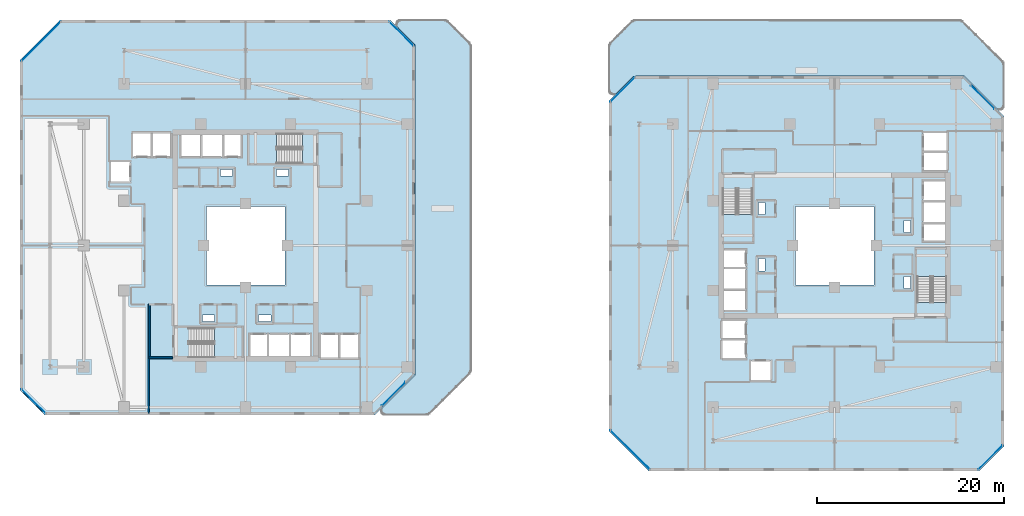
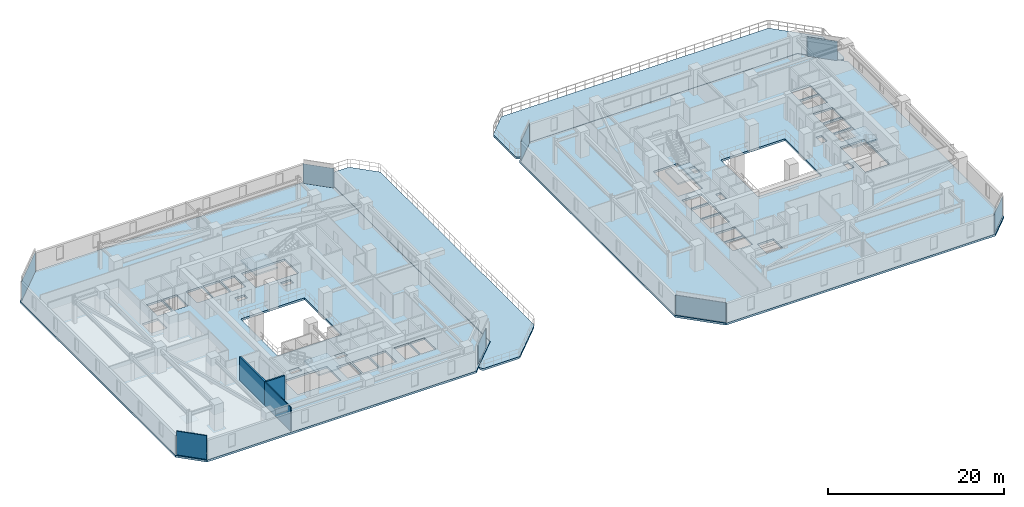
# One storey, part 19 of 33: 8 plates, 8 slabs, 4 walls, 12 elements without a shape of their own.
"""IFC4 building model written with IfcOpenShell, lengths in metres."""

from ifc_helpers import new_model, si_unit, direction, frame, frame_2d, origin, origin_2d, place, context, subcontext, project, spatial, polyline, rectangle, outline, extrude, material, layer, layer_set, type_object, element, aggregate, save


model = new_model("IFC4")

# Units and contexts
model_context = context("Model", 3, precision=1e-05, world=origin(), true_north=direction((0.0, 1.0)))
body_context = subcontext(model_context, "Body", "Model", "MODEL_VIEW")
ifc_project = project(units=[si_unit("LENGTHUNIT", "METRE"), si_unit("AREAUNIT", "SQUARE_METRE"), si_unit("VOLUMEUNIT", "CUBIC_METRE"), si_unit("PLANEANGLEUNIT", "RADIAN"), si_unit("MASSUNIT", "GRAM", prefix="KILO")], contexts=[model_context])

# Site, building, storey
site_placement = place(None, origin())
site = spatial("IfcSite", under=ifc_project, at=site_placement, CompositionType="ELEMENT")
building_placement = place(site_placement, origin())
building = spatial("IfcBuilding", under=site, at=building_placement, Name="Thornwick Lancets Civic Towers", CompositionType="ELEMENT")
storey_placement = place(building_placement, frame((0.0, 0.0, 98.10009765625)))
storey = spatial("IfcBuildingStorey", under=building, at=storey_placement, Name="L25", CompositionType="ELEMENT", Elevation=98.10009765625)

# Curtain wall, plate
ifc_material_1 = material(Name="Low-zone chamfered-corner unitised glass curtain wall", Category="glass")
curtain_wall_type = type_object("IfcCurtainWallType", Name="CW_SYS_03", PredefinedType="NOTDEFINED", material=ifc_material_1)
curtain_wall_1_placement = place(storey_placement, origin())
curtain_wall_1 = element("IfcCurtainWall", 1, at=curtain_wall_1_placement, inside=storey, type_object=curtain_wall_type, Name="L25 Curtain Wall CW-L25-A-E1", PredefinedType="NOTDEFINED")
ifc_material_2 = material(Name="Low-e double glazing clear glass", Category="glass")
ifc_layer_1 = layer(ifc_material_2, 0.035888671875, Name="Low-e double glazing clear glass")
ifc_layer_set_1 = layer_set([ifc_layer_1], Name="Low-e double glazing clear glass")
plate_type = type_object("IfcPlateType", Name="CW_PNL_GLASS", PredefinedType="CURTAIN_PANEL", material=ifc_layer_set_1)
plate_1_placement = place(storey_placement, frame((41.35546875, 11.14453125, 0.0), z_axis=(0.0, 0.0, 1.0), x_axis=(0.707106781187, 0.707106781187, 0.0)))
plate_1 = element("IfcPlate", 2, at=plate_1_placement, type_object=plate_type, Name="CW-L25-A-E1 Panel 0", PredefinedType="CURTAIN_PANEL", context=body_context, shape_type="SweptSolid", body=[
    extrude(rectangle(XDim=3.5771484375, YDim=0.035888671875, at=origin_2d()), origin(), (0.0, 0.0, 1.0), 2.699951171875),
])
aggregate(curtain_wall_1, [plate_1])

curtain_wall_2_placement = place(storey_placement, origin())
curtain_wall_2 = element("IfcCurtainWall", 3, at=curtain_wall_2_placement, inside=storey, type_object=curtain_wall_type, Name="L25 Curtain Wall CW-L25-A-E3", PredefinedType="NOTDEFINED")
plate_2_placement = place(storey_placement, frame((42.173095703125, 49.673095703125, 0.0), z_axis=(0.0, 0.0, 1.0), x_axis=(-0.707106781187, 0.707106781187, 0.0)))
plate_2 = element("IfcPlate", 4, at=plate_2_placement, type_object=plate_type, Name="CW-L25-A-E3 Panel 0", PredefinedType="CURTAIN_PANEL", context=body_context, shape_type="SweptSolid", body=[
    extrude(rectangle(XDim=3.6494140625, YDim=0.035888671875, at=origin_2d()), origin(), (0.0, 0.0, 1.0), 2.699951171875),
])
aggregate(curtain_wall_2, [plate_2])

curtain_wall_3_placement = place(storey_placement, origin())
curtain_wall_3 = element("IfcCurtainWall", 5, at=curtain_wall_3_placement, inside=storey, type_object=curtain_wall_type, Name="L25 Curtain Wall CW-L25-A-E5", PredefinedType="NOTDEFINED")
plate_3_placement = place(storey_placement, frame((3.64453125, 48.85546875, 0.0), z_axis=(0.0, 0.0, 1.0), x_axis=(-0.707106781187, -0.707106781187, 0.0)))
plate_3 = element("IfcPlate", 6, at=plate_3_placement, type_object=plate_type, Name="CW-L25-A-E5 Panel 0", PredefinedType="CURTAIN_PANEL", context=body_context, shape_type="SweptSolid", body=[
    extrude(rectangle(XDim=5.94677734375, YDim=0.035888671875, at=origin_2d()), origin(), (0.0, 0.0, 1.0), 2.699951171875),
])
aggregate(curtain_wall_3, [plate_3])

curtain_wall_4_placement = place(storey_placement, origin())
curtain_wall_4 = element("IfcCurtainWall", 7, at=curtain_wall_4_placement, inside=storey, type_object=curtain_wall_type, Name="L25 Curtain Wall CW-L25-A-E7", PredefinedType="NOTDEFINED")
plate_4_placement = place(storey_placement, frame((2.826904296875, 10.326904296875, 0.0), z_axis=(0.0, 0.0, 1.0), x_axis=(0.707106781187, -0.707106781187, 0.0)))
plate_4 = element("IfcPlate", 8, at=plate_4_placement, type_object=plate_type, Name="CW-L25-A-E7 Panel 0", PredefinedType="CURTAIN_PANEL", context=body_context, shape_type="SweptSolid", body=[
    extrude(rectangle(XDim=3.6494140625, YDim=0.035888671875, at=origin_2d()), origin(), (0.0, 0.0, 1.0), 2.699951171875),
])
aggregate(curtain_wall_4, [plate_4])

curtain_wall_5_placement = place(storey_placement, origin())
curtain_wall_5 = element("IfcCurtainWall", 9, at=curtain_wall_5_placement, inside=storey, type_object=curtain_wall_type, Name="L25 Curtain Wall CW-L25-B-E1", PredefinedType="NOTDEFINED")
plate_5_placement = place(storey_placement, frame((105.173095703125, 4.326904296875, 0.0), z_axis=(0.0, 0.0, 1.0), x_axis=(0.707106781187, 0.707106781187, 0.0)))
plate_5 = element("IfcPlate", 10, at=plate_5_placement, type_object=plate_type, Name="CW-L25-B-E1 Panel 0", PredefinedType="CURTAIN_PANEL", context=body_context, shape_type="SweptSolid", body=[
    extrude(rectangle(XDim=3.6494140625, YDim=0.035888671875, at=origin_2d()), origin(), (0.0, 0.0, 1.0), 2.699951171875),
])
aggregate(curtain_wall_5, [plate_5])

curtain_wall_6_placement = place(storey_placement, origin())
curtain_wall_6 = element("IfcCurtainWall", 11, at=curtain_wall_6_placement, inside=storey, type_object=curtain_wall_type, Name="L25 Curtain Wall CW-L25-B-E3", PredefinedType="NOTDEFINED")
plate_6_placement = place(storey_placement, frame((104.35546875, 42.85546875, 0.0), z_axis=(0.0, 0.0, 1.0), x_axis=(-0.707106781187, 0.707106781187, 0.0)))
plate_6 = element("IfcPlate", 12, at=plate_6_placement, type_object=plate_type, Name="CW-L25-B-E3 Panel 0", PredefinedType="CURTAIN_PANEL", context=body_context, shape_type="SweptSolid", body=[
    extrude(rectangle(XDim=3.5771484375, YDim=0.035888671875, at=origin_2d()), origin(), (0.0, 0.0, 1.0), 2.699951171875),
])
aggregate(curtain_wall_6, [plate_6])

curtain_wall_7_placement = place(storey_placement, origin())
curtain_wall_7 = element("IfcCurtainWall", 13, at=curtain_wall_7_placement, inside=storey, type_object=curtain_wall_type, Name="L25 Curtain Wall CW-L25-B-E5", PredefinedType="NOTDEFINED")
plate_7_placement = place(storey_placement, frame((65.826904296875, 43.673095703125, 0.0), z_axis=(0.0, 0.0, 1.0), x_axis=(-0.707106781187, -0.707106781187, 0.0)))
plate_7 = element("IfcPlate", 14, at=plate_7_placement, type_object=plate_type, Name="CW-L25-B-E5 Panel 0", PredefinedType="CURTAIN_PANEL", context=body_context, shape_type="SweptSolid", body=[
    extrude(rectangle(XDim=3.6494140625, YDim=0.035888671875, at=origin_2d()), origin(), (0.0, 0.0, 1.0), 2.699951171875),
])
aggregate(curtain_wall_7, [plate_7])

curtain_wall_8_placement = place(storey_placement, origin())
curtain_wall_8 = element("IfcCurtainWall", 15, at=curtain_wall_8_placement, inside=storey, type_object=curtain_wall_type, Name="L25 Curtain Wall CW-L25-B-E7", PredefinedType="NOTDEFINED")
plate_8_placement = place(storey_placement, frame((66.64453125, 5.14453125, 0.0), z_axis=(0.0, 0.0, 1.0), x_axis=(0.707106781187, -0.707106781187, 0.0)))
plate_8 = element("IfcPlate", 16, at=plate_8_placement, type_object=plate_type, Name="CW-L25-B-E7 Panel 0", PredefinedType="CURTAIN_PANEL", context=body_context, shape_type="SweptSolid", body=[
    extrude(rectangle(XDim=5.94677734375, YDim=0.035888671875, at=origin_2d()), origin(), (0.0, 0.0, 1.0), 2.699951171875),
])
aggregate(curtain_wall_8, [plate_8])

# Stair, slab
ifc_material_3 = material(Name="Concrete C40/50", Category="concrete")
stair_type = type_object("IfcStairType", Name="STAIR_DL_3600", PredefinedType="HALF_TURN_STAIR", material=ifc_material_3)
stair_1_placement = place(storey_placement, origin())
stair_1 = element("IfcStair", 17, at=stair_1_placement, inside=storey, type_object=stair_type, Name="L25 Tower A South Exit Stair ST-A1", PredefinedType="HALF_TURN_STAIR")
ifc_layer_2 = layer(ifc_material_3, 0.25, Name="Concrete C40/50")
ifc_layer_set_2 = layer_set([ifc_layer_2], Name="Concrete C40/50")
slab_type_1 = type_object("IfcSlabType", Name="SLAB_LANDING_200", PredefinedType="LANDING", material=ifc_layer_set_2)
slab_1_placement = place(storey_placement, frame((0.0, 0.0, 1.602783203125)))
slab_1 = element("IfcSlab", 18, at=slab_1_placement, type_object=slab_type_1, Name="ST-A1 landing 1", PredefinedType="LANDING", context=body_context, shape_type="SweptSolid", body=[
    extrude(outline(polyline([(22.169921875, 14.93994140625), (25.14990234375, 14.93994140625), (25.14990234375, 18.260009765625), (22.169921875, 18.260009765625), (22.169921875, 14.93994140625)])), origin(), (0.0, 0.0, 1.0), 0.2001953125),
])
aggregate(stair_1, [slab_1])

stair_2_placement = place(storey_placement, origin())
stair_2 = element("IfcStair", 19, at=stair_2_placement, inside=storey, type_object=stair_type, Name="L25 Tower A North Exit Stair ST-A2", PredefinedType="HALF_TURN_STAIR")
slab_2_placement = place(storey_placement, frame((0.0, 0.0, 1.602783203125)))
slab_2 = element("IfcSlab", 20, at=slab_2_placement, type_object=slab_type_1, Name="ST-A2 landing 1", PredefinedType="LANDING", context=body_context, shape_type="SweptSolid", body=[
    extrude(outline(polyline([(28.830078125, 39.06005859375), (25.85009765625, 39.06005859375), (25.85009765625, 35.739990234375), (28.830078125, 35.739990234375), (28.830078125, 39.06005859375)])), origin(), (0.0, 0.0, 1.0), 0.2001953125),
])
aggregate(stair_2, [slab_2])

stair_3_placement = place(storey_placement, origin())
stair_3 = element("IfcStair", 21, at=stair_3_placement, inside=storey, type_object=stair_type, Name="L25 Tower B East Exit Stair ST-B1", PredefinedType="HALF_TURN_STAIR")
slab_3_placement = place(storey_placement, frame((0.0, 0.0, 1.602783203125)))
slab_3 = element("IfcSlab", 22, at=slab_3_placement, type_object=slab_type_1, Name="ST-B1 landing 1", PredefinedType="LANDING", context=body_context, shape_type="SweptSolid", body=[
    extrude(outline(polyline([(100.56005859375, 23.669921875), (100.56005859375, 26.64990234375), (97.239990234375, 26.64990234375), (97.239990234375, 23.669921875), (100.56005859375, 23.669921875)])), origin(), (0.0, 0.0, 1.0), 0.2001953125),
])
aggregate(stair_3, [slab_3])

stair_4_placement = place(storey_placement, origin())
stair_4 = element("IfcStair", 23, at=stair_4_placement, inside=storey, type_object=stair_type, Name="L25 Tower B West Exit Stair ST-B2", PredefinedType="HALF_TURN_STAIR")
slab_4_placement = place(storey_placement, frame((0.0, 0.0, 1.602783203125)))
slab_4 = element("IfcSlab", 24, at=slab_4_placement, type_object=slab_type_1, Name="ST-B2 landing 1", PredefinedType="LANDING", context=body_context, shape_type="SweptSolid", body=[
    extrude(outline(polyline([(76.43994140625, 30.330078125), (76.43994140625, 27.35009765625), (79.760009765625, 27.35009765625), (79.760009765625, 30.330078125), (76.43994140625, 30.330078125)])), origin(), (0.0, 0.0, 1.0), 0.2001953125),
])
aggregate(stair_4, [slab_4])

# Slabs
ifc_material_4 = material(Name="Post-tensioned concrete C40/50", Category="concrete")
ifc_layer_3 = layer(ifc_material_4, 0.280029296875, Name="Post-tensioned concrete C40/50")
ifc_layer_set_3 = layer_set([ifc_layer_3], Name="Post-tensioned concrete C40/50")
slab_type_2 = type_object("IfcSlabType", Name="SLAB_PT_280", PredefinedType="FLOOR", material=ifc_layer_set_3)
slab_5_placement = place(storey_placement, frame((0.0, 0.0, -0.280029296875)))
element("IfcSlab", 25, at=slab_5_placement, inside=storey, type_object=slab_type_2, Name="L25 Tower A Floor Slab", PredefinedType="FLOOR", context=body_context, shape_type="SweptSolid", body=[
    extrude(outline(polyline([(4.0, 8.89990234375), (39.364013671875, 8.89990234375), (43.60009765625, 13.135986328125), (43.60009765625, 48.5), (41.0, 51.10009765625), (5.635986328125, 51.10009765625), (1.39990234375, 46.864013671875), (1.39990234375, 11.5), (4.0, 8.89990234375)]), holes=[polyline([(21.300048828125, 22.800048828125), (29.699951171875, 22.800048828125), (29.699951171875, 31.199951171875), (21.300048828125, 31.199951171875), (21.300048828125, 22.800048828125)]), polyline([(19.429931640625, 15.0), (25.10009765625, 15.0), (25.10009765625, 18.199951171875), (19.429931640625, 18.199951171875), (19.429931640625, 15.0)]), polyline([(31.570068359375, 39.0), (25.89990234375, 39.0), (25.89990234375, 35.800048828125), (31.570068359375, 35.800048828125), (31.570068359375, 39.0)]), polyline([(26.0, 15.0), (27.800048828125, 15.0), (27.800048828125, 17.550048828125), (26.0, 17.550048828125), (26.0, 15.0)]), polyline([(28.0, 15.0), (30.14990234375, 15.0), (30.14990234375, 17.550048828125), (28.0, 17.550048828125), (28.0, 15.0)]), polyline([(30.35009765625, 15.0), (32.39990234375, 15.0), (32.39990234375, 17.550048828125), (30.35009765625, 17.550048828125), (30.35009765625, 15.0)]), polyline([(33.550048828125, 15.0), (35.449951171875, 15.0), (35.449951171875, 17.550048828125), (33.550048828125, 17.550048828125), (33.550048828125, 15.0)]), polyline([(35.60009765625, 15.0), (37.550048828125, 15.0), (37.550048828125, 17.550048828125), (35.60009765625, 17.550048828125), (35.60009765625, 15.0)]), polyline([(23.199951171875, 36.449951171875), (25.0, 36.449951171875), (25.0, 39.0), (23.199951171875, 39.0), (23.199951171875, 36.449951171875)]), polyline([(20.85009765625, 36.449951171875), (23.0, 36.449951171875), (23.0, 39.0), (20.85009765625, 39.0), (20.85009765625, 36.449951171875)]), polyline([(18.60009765625, 36.449951171875), (20.699951171875, 36.449951171875), (20.699951171875, 39.0), (18.60009765625, 39.0), (18.60009765625, 36.449951171875)]), polyline([(15.550048828125, 36.449951171875), (17.449951171875, 36.449951171875), (17.449951171875, 39.0), (15.550048828125, 39.0), (15.550048828125, 36.449951171875)]), polyline([(13.449951171875, 36.449951171875), (15.39990234375, 36.449951171875), (15.39990234375, 39.0), (13.449951171875, 39.0), (13.449951171875, 36.449951171875)]), polyline([(11.10009765625, 33.85009765625), (13.199951171875, 33.85009765625), (13.199951171875, 35.949951171875), (11.10009765625, 35.949951171875), (11.10009765625, 33.85009765625)]), polyline([(26.89990234375, 18.85009765625), (28.199951171875, 18.85009765625), (28.199951171875, 19.580078125), (26.89990234375, 19.580078125), (26.89990234375, 18.85009765625)]), polyline([(20.89990234375, 18.85009765625), (22.199951171875, 18.85009765625), (22.199951171875, 19.580078125), (20.89990234375, 19.580078125), (20.89990234375, 18.85009765625)]), polyline([(22.800048828125, 34.419921875), (24.10009765625, 34.419921875), (24.10009765625, 35.14990234375), (22.800048828125, 35.14990234375), (22.800048828125, 34.419921875)]), polyline([(28.800048828125, 34.419921875), (30.10009765625, 34.419921875), (30.10009765625, 35.14990234375), (28.800048828125, 35.14990234375), (28.800048828125, 34.419921875)])]), origin(), (0.0, 0.0, 1.0), 0.280029296875),
])
slab_6_placement = place(storey_placement, frame((0.0, 0.0, -0.280029296875)))
element("IfcSlab", 26, at=slab_6_placement, inside=storey, type_object=slab_type_2, Name="L25 Tower A Cantilevered Block Sky-Garden Terrace 1", PredefinedType="FLOOR", context=body_context, shape_type="SweptSolid", body=[
    extrude(outline(polyline([(46.857666015625, 51.097900390625), (46.9013671875, 51.09130859375), (46.944091796875, 51.08056640625), (46.98583984375, 51.065673828125), (47.025634765625, 51.046875), (47.063720703125, 51.024169921875), (47.09912109375, 50.997802734375), (47.1318359375, 50.96826171875), (49.46826171875, 48.6318359375), (49.497802734375, 48.59912109375), (49.524169921875, 48.563720703125), (49.546875, 48.525634765625), (49.565673828125, 48.48583984375), (49.58056640625, 48.444091796875), (49.59130859375, 48.4013671875), (49.597900390625, 48.357666015625), (49.60009765625, 48.313720703125), (49.60009765625, 13.650390625), (49.597900390625, 13.606201171875), (49.59130859375, 13.5625), (49.58056640625, 13.519775390625), (49.565673828125, 13.478271484375), (49.546875, 13.438232421875), (49.524169921875, 13.400390625), (49.497802734375, 13.364990234375), (49.46826171875, 13.332275390625), (45.167724609375, 9.03173828125), (45.135009765625, 9.002197265625), (45.099609375, 8.975830078125), (45.061767578125, 8.953125), (45.021728515625, 8.934326171875), (44.980224609375, 8.91943359375), (44.9375, 8.90869140625), (44.893798828125, 8.902099609375), (44.849609375, 8.89990234375), (40.478759765625, 8.89990234375), (40.4345703125, 8.902099609375), (40.390869140625, 8.90869140625), (40.34814453125, 8.91943359375), (40.306396484375, 8.934326171875), (40.2666015625, 8.953125), (40.228759765625, 8.975830078125), (40.193115234375, 9.002197265625), (40.160400390625, 9.03173828125), (40.130859375, 9.064453125), (40.1044921875, 9.10009765625), (40.081787109375, 9.137939453125), (40.06298828125, 9.177734375), (40.048095703125, 9.219482421875), (40.037353515625, 9.26220703125), (40.03076171875, 9.305908203125), (40.02880859375, 9.35009765625), (40.03076171875, 9.39404296875), (40.037353515625, 9.437744140625), (40.048095703125, 9.480712890625), (40.06298828125, 9.522216796875), (40.081787109375, 9.56201171875), (40.1044921875, 9.60009765625), (40.130859375, 9.635498046875), (40.160400390625, 9.668212890625), (43.610107421875, 13.117919921875), (43.610107421875, 13.117919921875), (43.614013671875, 13.121826171875), (43.615478515625, 13.123291015625), (43.61669921875, 13.125), (43.61767578125, 13.126708984375), (43.618408203125, 13.12841796875), (43.619140625, 13.130126953125), (43.61962890625, 13.132080078125), (43.619873046875, 13.134033203125), (43.6201171875, 13.135986328125), (43.6201171875, 13.14208984375), (43.6201171875, 48.494384765625), (43.6201171875, 48.5), (43.619873046875, 48.501953125), (43.61962890625, 48.50390625), (43.619140625, 48.505859375), (43.618408203125, 48.5078125), (43.61767578125, 48.509521484375), (43.61669921875, 48.510986328125), (43.615478515625, 48.5126953125), (43.614013671875, 48.51416015625), (43.60986328125, 48.518310546875), (41.79638671875, 50.331787109375), (41.766845703125, 50.364501953125), (41.740478515625, 50.39990234375), (41.7177734375, 50.43798828125), (41.698974609375, 50.477783203125), (41.68408203125, 50.519287109375), (41.67333984375, 50.562255859375), (41.666748046875, 50.60595703125), (41.664794921875, 50.64990234375), (41.666748046875, 50.694091796875), (41.67333984375, 50.73779296875), (41.68408203125, 50.780517578125), (41.698974609375, 50.822265625), (41.7177734375, 50.862060546875), (41.740478515625, 50.89990234375), (41.766845703125, 50.935546875), (41.79638671875, 50.96826171875), (41.8291015625, 50.997802734375), (41.86474609375, 51.024169921875), (41.902587890625, 51.046875), (41.9423828125, 51.065673828125), (41.984130859375, 51.08056640625), (42.02685546875, 51.09130859375), (42.070556640625, 51.097900390625), (42.11474609375, 51.10009765625), (46.813720703125, 51.10009765625), (46.857666015625, 51.097900390625)])), origin(), (0.0, 0.0, 1.0), 0.280029296875),
])
slab_7_placement = place(storey_placement, frame((0.0, 0.0, -0.280029296875)))
element("IfcSlab", 27, at=slab_7_placement, inside=storey, type_object=slab_type_2, Name="L25 Tower B Floor Slab", PredefinedType="FLOOR", context=body_context, shape_type="SweptSolid", body=[
    extrude(outline(polyline([(68.635986328125, 2.89990234375), (104.0, 2.89990234375), (106.60009765625, 5.5), (106.60009765625, 40.864013671875), (102.364013671875, 45.10009765625), (67.0, 45.10009765625), (64.39990234375, 42.5), (64.39990234375, 7.135986328125), (68.635986328125, 2.89990234375)]), holes=[polyline([(84.300048828125, 22.800048828125), (92.699951171875, 22.800048828125), (92.699951171875, 31.199951171875), (84.300048828125, 31.199951171875), (84.300048828125, 22.800048828125)]), polyline([(100.5, 20.929931640625), (100.5, 26.60009765625), (97.300048828125, 26.60009765625), (97.300048828125, 20.929931640625), (100.5, 20.929931640625)]), polyline([(76.5, 33.070068359375), (76.5, 27.39990234375), (79.699951171875, 27.39990234375), (79.699951171875, 33.070068359375), (76.5, 33.070068359375)]), polyline([(97.949951171875, 27.5), (100.5, 27.5), (100.5, 29.300048828125), (97.949951171875, 29.300048828125), (97.949951171875, 27.5)]), polyline([(97.949951171875, 29.5), (100.5, 29.5), (100.5, 31.64990234375), (97.949951171875, 31.64990234375), (97.949951171875, 29.5)]), polyline([(97.949951171875, 31.85009765625), (100.5, 31.85009765625), (100.5, 33.89990234375), (97.949951171875, 33.89990234375), (97.949951171875, 31.85009765625)]), polyline([(97.949951171875, 35.050048828125), (100.5, 35.050048828125), (100.5, 36.949951171875), (97.949951171875, 36.949951171875), (97.949951171875, 35.050048828125)]), polyline([(97.949951171875, 37.10009765625), (100.5, 37.10009765625), (100.5, 39.050048828125), (97.949951171875, 39.050048828125), (97.949951171875, 37.10009765625)]), polyline([(76.5, 24.699951171875), (79.050048828125, 24.699951171875), (79.050048828125, 26.5), (76.5, 26.5), (76.5, 24.699951171875)]), polyline([(76.5, 22.35009765625), (79.050048828125, 22.35009765625), (79.050048828125, 24.5), (76.5, 24.5), (76.5, 22.35009765625)]), polyline([(76.5, 20.10009765625), (79.050048828125, 20.10009765625), (79.050048828125, 22.199951171875), (76.5, 22.199951171875), (76.5, 20.10009765625)]), polyline([(76.5, 17.050048828125), (79.050048828125, 17.050048828125), (79.050048828125, 18.949951171875), (76.5, 18.949951171875), (76.5, 17.050048828125)]), polyline([(76.5, 14.949951171875), (79.050048828125, 14.949951171875), (79.050048828125, 16.89990234375), (76.5, 16.89990234375), (76.5, 14.949951171875)]), polyline([(79.550048828125, 12.60009765625), (81.64990234375, 12.60009765625), (81.64990234375, 14.699951171875), (79.550048828125, 14.699951171875), (79.550048828125, 12.60009765625)]), polyline([(95.919921875, 28.39990234375), (96.64990234375, 28.39990234375), (96.64990234375, 29.699951171875), (95.919921875, 29.699951171875), (95.919921875, 28.39990234375)]), polyline([(95.919921875, 22.39990234375), (96.64990234375, 22.39990234375), (96.64990234375, 23.699951171875), (95.919921875, 23.699951171875), (95.919921875, 22.39990234375)]), polyline([(80.35009765625, 24.300048828125), (81.080078125, 24.300048828125), (81.080078125, 25.60009765625), (80.35009765625, 25.60009765625), (80.35009765625, 24.300048828125)]), polyline([(80.35009765625, 30.300048828125), (81.080078125, 30.300048828125), (81.080078125, 31.60009765625), (80.35009765625, 31.60009765625), (80.35009765625, 30.300048828125)])]), origin(), (0.0, 0.0, 1.0), 0.280029296875),
])
slab_8_placement = place(storey_placement, frame((0.0, 0.0, -0.280029296875)))
element("IfcSlab", 28, at=slab_8_placement, inside=storey, type_object=slab_type_2, Name="L25 Tower B Cantilevered Block Sky-Garden Terrace 1", PredefinedType="FLOOR", context=body_context, shape_type="SweptSolid", body=[
    extrude(outline(polyline([(64.402099609375, 48.357666015625), (64.40869140625, 48.4013671875), (64.41943359375, 48.444091796875), (64.434326171875, 48.48583984375), (64.453125, 48.525634765625), (64.475830078125, 48.563720703125), (64.502197265625, 48.59912109375), (64.53173828125, 48.6318359375), (66.8681640625, 50.96826171875), (66.90087890625, 50.997802734375), (66.936279296875, 51.024169921875), (66.974365234375, 51.046875), (67.01416015625, 51.065673828125), (67.055908203125, 51.08056640625), (67.0986328125, 51.09130859375), (67.142333984375, 51.097900390625), (67.186279296875, 51.10009765625), (101.849609375, 51.10009765625), (101.893798828125, 51.097900390625), (101.9375, 51.09130859375), (101.980224609375, 51.08056640625), (102.021728515625, 51.065673828125), (102.061767578125, 51.046875), (102.099609375, 51.024169921875), (102.135009765625, 50.997802734375), (102.167724609375, 50.96826171875), (106.46826171875, 46.667724609375), (106.497802734375, 46.635009765625), (106.524169921875, 46.599609375), (106.546875, 46.561767578125), (106.565673828125, 46.521728515625), (106.58056640625, 46.480224609375), (106.59130859375, 46.4375), (106.597900390625, 46.393798828125), (106.60009765625, 46.349609375), (106.60009765625, 41.978759765625), (106.597900390625, 41.9345703125), (106.59130859375, 41.890869140625), (106.58056640625, 41.84814453125), (106.565673828125, 41.806396484375), (106.546875, 41.7666015625), (106.524169921875, 41.728759765625), (106.497802734375, 41.693115234375), (106.46826171875, 41.660400390625), (106.435546875, 41.630859375), (106.39990234375, 41.6044921875), (106.362060546875, 41.581787109375), (106.322265625, 41.56298828125), (106.280517578125, 41.548095703125), (106.23779296875, 41.537353515625), (106.194091796875, 41.53076171875), (106.14990234375, 41.52880859375), (106.10595703125, 41.53076171875), (106.062255859375, 41.537353515625), (106.019287109375, 41.548095703125), (105.977783203125, 41.56298828125), (105.93798828125, 41.581787109375), (105.89990234375, 41.6044921875), (105.864501953125, 41.630859375), (105.831787109375, 41.660400390625), (104.91259765625, 42.57958984375), (102.382080078125, 45.110107421875), (102.378173828125, 45.114013671875), (102.376708984375, 45.115478515625), (102.375, 45.11669921875), (102.373291015625, 45.11767578125), (102.37158203125, 45.118408203125), (102.369873046875, 45.119140625), (102.367919921875, 45.11962890625), (102.365966796875, 45.119873046875), (102.364013671875, 45.1201171875), (102.35791015625, 45.1201171875), (67.005615234375, 45.1201171875), (67.0, 45.1201171875), (66.998046875, 45.119873046875), (66.99609375, 45.11962890625), (66.994140625, 45.119140625), (66.9921875, 45.118408203125), (66.990478515625, 45.11767578125), (66.989013671875, 45.11669921875), (66.9873046875, 45.115478515625), (66.98583984375, 45.114013671875), (66.981689453125, 45.10986328125), (65.168212890625, 43.29638671875), (65.135498046875, 43.266845703125), (65.10009765625, 43.240478515625), (65.06201171875, 43.2177734375), (65.022216796875, 43.198974609375), (64.980712890625, 43.18408203125), (64.937744140625, 43.17333984375), (64.89404296875, 43.166748046875), (64.85009765625, 43.164794921875), (64.805908203125, 43.166748046875), (64.76220703125, 43.17333984375), (64.719482421875, 43.18408203125), (64.677734375, 43.198974609375), (64.637939453125, 43.2177734375), (64.60009765625, 43.240478515625), (64.564453125, 43.266845703125), (64.53173828125, 43.29638671875), (64.502197265625, 43.3291015625), (64.475830078125, 43.36474609375), (64.453125, 43.402587890625), (64.434326171875, 43.4423828125), (64.41943359375, 43.484130859375), (64.40869140625, 43.52685546875), (64.402099609375, 43.570556640625), (64.39990234375, 43.61474609375), (64.39990234375, 48.313720703125), (64.402099609375, 48.357666015625)])), origin(), (0.0, 0.0, 1.0), 0.280029296875),
])

# Walls
ifc_material_5 = material(Name="Concrete blockwork C40/50", Category="masonry")
ifc_layer_4 = layer(ifc_material_5, 0.199951171875, Name="Concrete blockwork C40/50")
ifc_layer_set_4 = layer_set([ifc_layer_4], Name="Concrete blockwork C40/50")
wall_type_1 = type_object("IfcWallType", Name="WALL_COMP_200", PredefinedType="STANDARD", material=ifc_layer_set_4)
wall_1_placement = place(storey_placement, frame((15.199951171875, 15.0, 0.0), z_axis=(0.0, 0.0, 1.0), x_axis=(1.0, 0.0, 0.0)))
element("IfcWall", 29, at=wall_1_placement, inside=storey, type_object=wall_type_1, Name="L25 Partition L25-A-FFLOB1 E1", PredefinedType="STANDARD", context=body_context, shape_type="SweptSolid", body=[
    extrude(rectangle(XDim=2.5, YDim=0.199951171875, at=frame_2d((1.25, 0.0))), origin(), (0.0, 0.0, 1.0), 3.2998046875),
])
wall_2_placement = place(storey_placement, frame((15.199951171875, 20.699951171875, 0.0), z_axis=(0.0, 0.0, 1.0), x_axis=(0.0, -1.0, 0.0)))
element("IfcWall", 30, at=wall_2_placement, inside=storey, type_object=wall_type_1, Name="L25 Partition L25-A-FFLOB1 E4", PredefinedType="STANDARD", context=body_context, shape_type="SweptSolid", body=[
    extrude(rectangle(XDim=5.699951171875, YDim=0.199951171875, at=frame_2d((2.85009765625, 0.0))), origin(), (0.0, 0.0, 1.0), 3.2998046875),
])
ifc_material_6 = material(Name="Acoustic gypsum board partition")
ifc_layer_5 = layer(ifc_material_6, 0.1201171875, Name="Acoustic gypsum board partition")
ifc_layer_set_5 = layer_set([ifc_layer_5], Name="Acoustic gypsum board partition")
wall_type_2 = type_object("IfcWallType", Name="WALL_PART_120", PredefinedType="PARTITIONING", material=ifc_layer_set_5)
wall_3_placement = place(storey_placement, frame((15.14990234375, 15.0, 0.0), z_axis=(0.0, 0.0, 1.0), x_axis=(0.0, -1.0, 0.0)))
element("IfcWall", 31, at=wall_3_placement, inside=storey, type_object=wall_type_2, Name="L25 Partition L25-A-W1 E8", PredefinedType="PARTITIONING", context=body_context, shape_type="SweptSolid", body=[
    extrude(rectangle(XDim=5.919921875, YDim=0.1201171875, at=frame_2d((2.9599609375, 0.0))), origin(), (0.0, 0.0, 1.0), 3.2998046875),
])
wall_4_placement = place(storey_placement, frame((4.07470703125, 9.080078125, 0.0), z_axis=(0.0, 0.0, 1.0), x_axis=(-0.707106781187, 0.707106781187, 0.0)))
element("IfcWall", 32, at=wall_4_placement, inside=storey, type_object=wall_type_2, Name="L25 Partition L25-A-W1 E10", PredefinedType="PARTITIONING", context=body_context, shape_type="SweptSolid", body=[
    extrude(rectangle(XDim=3.52783203125, YDim=0.1201171875, at=frame_2d((1.763916015625, 0.0))), origin(), (0.0, 0.0, 1.0), 3.2998046875),
])

save(model, "model.ifc")
